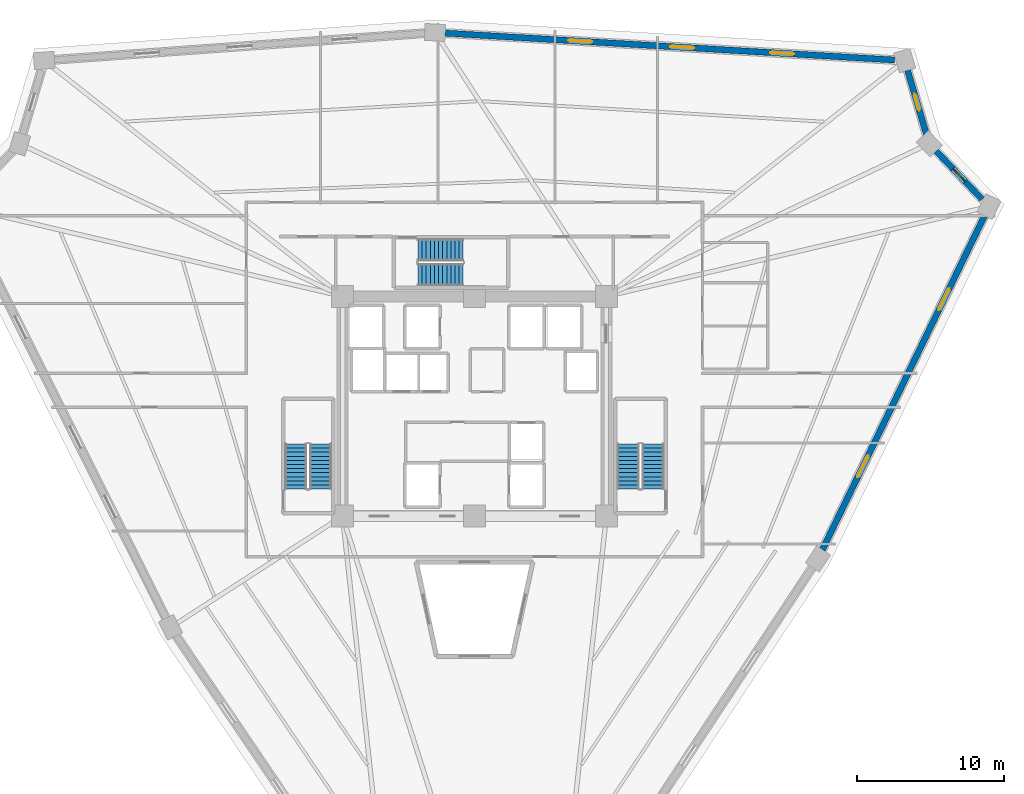
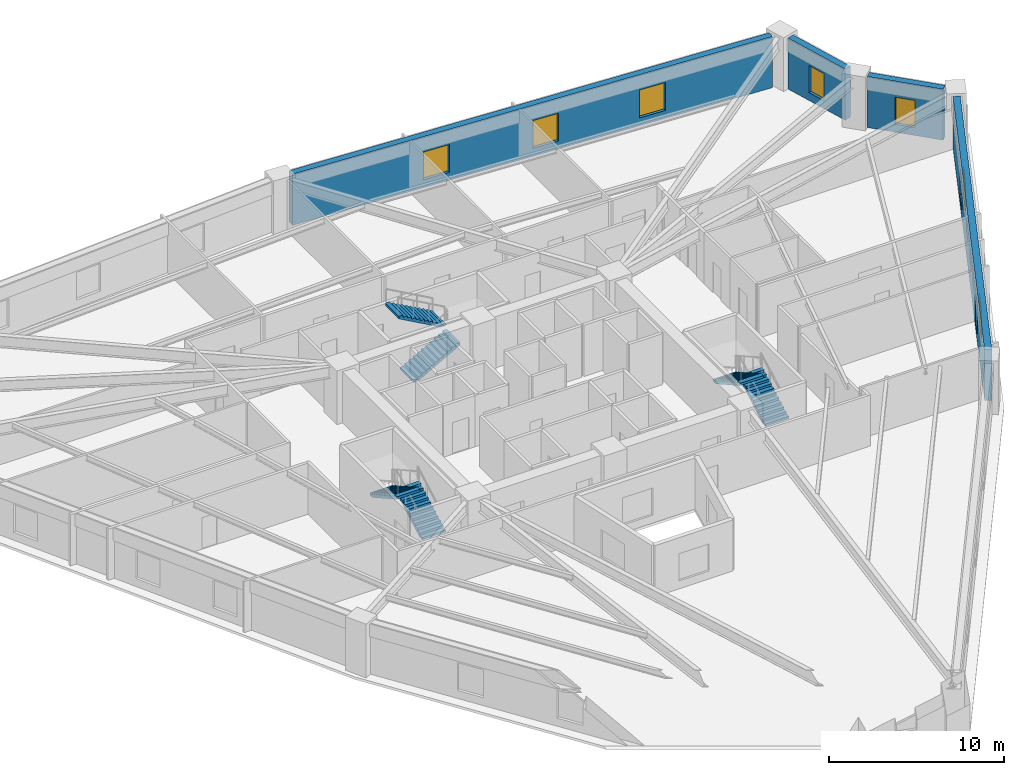
# One storey, part 7 of 8: 7 windows, 6 stair flights, 4 walls, 7 openings, 3 elements without a shape of their own.
"""IFC4 building model written with IfcOpenShell, lengths in metres."""

import ifcopenshell
import ifcopenshell.guid

model = None  # the IFC model being written
_history = None  # IfcOwnerHistory: only IFC2X3 demands one
_inside = {}  # id of a spatial element -> (the spatial element, [elements in it])
_under = {}  # id of a project, library or spatial element -> (it, [spatial elements below it])
_declared = {}  # id of a project -> (the project, [libraries it declares])
_typed = {}  # id of a type object -> (the type object, [elements of that type])
_made_of = {}  # id of a material, layer set ... -> (it, [elements and type objects made of it])


def new_model(schema):
    """Start an empty IFC model of exactly this schema.

    Asked for "IFC4X3", IfcOpenShell would pick the latest addendum, in which some entities
    have other attributes; the version numbers below select the first issue.
    IFC2X3 requires an IfcOwnerHistory on every rooted entity: one is made here for all.
    """
    global model, _history
    if schema == "IFC4X3":
        model = ifcopenshell.file(schema_version=(4, 3, 0, 0))
    else:
        model = ifcopenshell.file(schema=schema)
    _inside.clear()
    _under.clear()
    _declared.clear()
    _typed.clear()
    _made_of.clear()
    _history = None
    if model.schema == "IFC2X3":
        org = make("IfcOrganization", Name="unknown")
        user = make(
            "IfcPersonAndOrganization",
            ThePerson=make("IfcPerson", FamilyName="unknown"),
            TheOrganization=org,
        )
        app = make(
            "IfcApplication",
            ApplicationDeveloper=org,
            Version="unknown",
            ApplicationFullName="unknown",
            ApplicationIdentifier="unknown",
        )
        _history = make(
            "IfcOwnerHistory",
            OwningUser=user,
            OwningApplication=app,
            ChangeAction="ADDED",
            CreationDate=0,
        )
    return model


def make(cls, **values):
    """One entity of the class cls with the attributes given. An attribute that is None is left unset."""
    return model.create_entity(
        cls, **{name: value for name, value in values.items() if value is not None}
    )


def rooted(cls, **values):
    """An entity with a GlobalId (a new one), such as an element, a storey or a relation."""
    return make(cls, GlobalId=ifcopenshell.guid.new(), OwnerHistory=_history, **values)


def si_unit(unit_type, name, prefix=None):
    """IfcSIUnit, for example si_unit("LENGTHUNIT", "METRE", prefix="MILLI")."""
    return make("IfcSIUnit", UnitType=unit_type, Prefix=prefix, Name=name)


def assignment(units):
    """IfcUnitAssignment: the units of a project."""
    return None if units is None else make("IfcUnitAssignment", Units=units)


def point(xyz):
    """IfcCartesianPoint."""
    return None if xyz is None else make("IfcCartesianPoint", Coordinates=xyz)


def direction(xyz):
    """IfcDirection."""
    return None if xyz is None else make("IfcDirection", DirectionRatios=xyz)


def frame(location, z_axis=None, x_axis=None):
    """IfcAxis2Placement3D, a coordinate frame: its origin and axes. An axis left out is left unset."""
    return make(
        "IfcAxis2Placement3D",
        Location=point(location),
        Axis=direction(z_axis),
        RefDirection=direction(x_axis),
    )


def frame_2d(location, x_axis=None):
    """IfcAxis2Placement2D, a coordinate frame in the plane: its origin and x axis."""
    return make(
        "IfcAxis2Placement2D", Location=point(location), RefDirection=direction(x_axis)
    )


def origin():
    """The frame at (0, 0, 0) with its axes left unset."""
    return frame((0.0, 0.0, 0.0))


def place(relative_to, where):
    """IfcLocalPlacement: puts the frame where relative to a parent placement (None: the world)."""
    return make(
        "IfcLocalPlacement", PlacementRelTo=relative_to, RelativePlacement=where
    )


def context(
    kind, dimensions, precision=None, world=None, true_north=None, identifier=None
):
    """IfcGeometricRepresentationContext, for example the 3D "Model" context."""
    return make(
        "IfcGeometricRepresentationContext",
        ContextIdentifier=identifier,
        ContextType=kind,
        CoordinateSpaceDimension=dimensions,
        Precision=precision,
        WorldCoordinateSystem=world,
        TrueNorth=true_north,
    )


def subcontext(parent, identifier, kind, view, scale=None):
    """IfcGeometricRepresentationSubContext, for example "Body" below "Model"."""
    return make(
        "IfcGeometricRepresentationSubContext",
        ContextIdentifier=identifier,
        ContextType=kind,
        ParentContext=parent,
        TargetScale=scale,
        TargetView=view,
    )


def project(units=None, contexts=None):
    """IfcProject with its units and contexts."""
    return rooted(
        "IfcProject",
        Name="project",
        RepresentationContexts=contexts,
        UnitsInContext=assignment(units),
    )


def spatial(cls, under=None, at=None, **own):
    """A site, building, storey or space (cls), placed at a placement, below another one or the project."""
    s = rooted(cls, ObjectPlacement=at, **own)
    if under is not None:
        _under.setdefault(under.id(), (under, []))[1].append(s)
    return s


def polyline(points):
    """IfcPolyline through the points."""
    return make("IfcPolyline", Points=[point(p) for p in points])


def profile(cls, at=None, kind="AREA", **sizes):
    """A parametric profile (cls). Its sizes go by their IFC names, for example OverallWidth=200.0."""
    return make(cls, ProfileType=kind, Position=at, **sizes)


def rectangle(**sizes):
    """IfcRectangleProfileDef."""
    return profile("IfcRectangleProfileDef", **sizes)


def outline(outer, holes=None, kind="AREA"):
    """IfcArbitraryClosedProfileDef: a profile drawn as a closed curve; with holes, ...WithVoids."""
    if holes is None:
        return make("IfcArbitraryClosedProfileDef", ProfileType=kind, OuterCurve=outer)
    return make(
        "IfcArbitraryProfileDefWithVoids",
        ProfileType=kind,
        OuterCurve=outer,
        InnerCurves=holes,
    )


def extrude(swept, where, along, depth):
    """IfcExtrudedAreaSolid: the profile swept, set in the frame where, extruded along a direction by depth."""
    return make(
        "IfcExtrudedAreaSolid",
        SweptArea=swept,
        Position=where,
        ExtrudedDirection=direction(along),
        Depth=depth,
    )


def shape(context_of_items, identifier, shape_type, items):
    """IfcShapeRepresentation: the items that make up one representation, for example the "Body"."""
    return make(
        "IfcShapeRepresentation",
        ContextOfItems=context_of_items,
        RepresentationIdentifier=identifier,
        RepresentationType=shape_type,
        Items=items,
    )


def source(mapping_origin, context_of_items, identifier, shape_type, items):
    """IfcRepresentationMap: a shape defined once, which mapped items show again and again."""
    return make(
        "IfcRepresentationMap",
        MappingOrigin=mapping_origin,
        MappedRepresentation=shape(context_of_items, identifier, shape_type, items),
    )


def transform(
    local_origin,
    x_axis=None,
    y_axis=None,
    z_axis=None,
    scale=None,
    scale2=None,
    scale3=None,
    uniform=True,
):
    """IfcCartesianTransformationOperator3D, or its non-uniform kind. x_axis, y_axis, z_axis: its Axis1, 2, 3."""
    if uniform:
        return make(
            "IfcCartesianTransformationOperator3D",
            Axis1=direction(x_axis),
            Axis2=direction(y_axis),
            LocalOrigin=point(local_origin),
            Scale=scale,
            Axis3=direction(z_axis),
        )
    return make(
        "IfcCartesianTransformationOperator3DnonUniform",
        Axis1=direction(x_axis),
        Axis2=direction(y_axis),
        LocalOrigin=point(local_origin),
        Scale=scale,
        Axis3=direction(z_axis),
        Scale2=scale2,
        Scale3=scale3,
    )


def mapped(mapping_source, mapping_target):
    """IfcMappedItem: shows the shape of a source again, moved by a transform."""
    return make(
        "IfcMappedItem", MappingSource=mapping_source, MappingTarget=mapping_target
    )


def material(Name=None, Category=None):
    """IfcMaterial."""
    return make("IfcMaterial", Name=Name, Category=Category)


def layer(
    of_material, thickness, ventilated=None, Name=None, Category=None, Priority=None
):
    """IfcMaterialLayer: one layer of a wall or slab, of a material (None: an air gap)."""
    return make(
        "IfcMaterialLayer",
        Material=of_material,
        LayerThickness=thickness,
        IsVentilated=ventilated,
        Name=Name,
        Category=Category,
        Priority=Priority,
    )


def layer_set(layers, Name=None):
    """IfcMaterialLayerSet."""
    return make("IfcMaterialLayerSet", MaterialLayers=layers, LayerSetName=Name)


def made_of(thing, what):
    """Note that an element or type object is made of a material, layer set ...; save() writes the relation."""
    if what is not None:
        _made_of.setdefault(what.id(), (what, []))[1].append(thing)
    return thing


def type_object(cls, material=None, **own):
    """A type object (cls), such as IfcWallType, which elements share."""
    return made_of(rooted(cls, **own), material)


def element(
    cls,
    number,
    at=None,
    inside=None,
    cuts=None,
    type_object=None,
    material=None,
    context=None,
    identifier="Body",
    shape_type=None,
    held_by="IfcProductDefinitionShape",
    body=None,
    shapes=None,
    **own,
):
    """One element of the class cls, such as IfcWall. Its Tag is "e" and its number.

    at: its placement. inside: the storey or other place that contains it. cuts: it is an
    opening in that element (IfcRelVoidsElement). A single representation is given by context,
    identifier, shape_type and body (its items); several are given by shapes. held_by: the class
    of the entity that holds the representations. save() writes the other relations.
    """
    e = rooted(cls, Tag="e%d" % number, ObjectPlacement=at, **own)
    if body is not None:
        shapes = [shape(context, identifier, shape_type, body)]
    if shapes is not None:
        e.Representation = make(held_by, Representations=shapes)
    if inside is not None:
        _inside.setdefault(inside.id(), (inside, []))[1].append(e)
    if cuts is not None:
        rooted(
            "IfcRelVoidsElement", RelatingBuildingElement=cuts, RelatedOpeningElement=e
        )
    if type_object is not None:
        _typed.setdefault(type_object.id(), (type_object, []))[1].append(e)
    return made_of(e, material)


def fill(opening, filler):
    """IfcRelFillsElement: the door or window that sits in an opening."""
    return rooted(
        "IfcRelFillsElement",
        RelatingOpeningElement=opening,
        RelatedBuildingElement=filler,
    )


def aggregate(whole, parts):
    """IfcRelAggregates: a whole, such as a stair, and the parts it consists of."""
    return rooted("IfcRelAggregates", RelatingObject=whole, RelatedObjects=parts)


def save(model, path):
    """Write the relations noted so far, then the file.

    IfcRelAggregates (storeys below a building ...), IfcRelContainedInSpatialStructure (elements
    in a storey), IfcRelDefinesByType, IfcRelAssociatesMaterial and IfcRelDeclares: one each for
    every whole, place, type object, material and project.
    """
    for whole, parts in _under.values():
        aggregate(whole, parts)
    for where, things in _inside.values():
        rooted(
            "IfcRelContainedInSpatialStructure",
            RelatedElements=things,
            RelatingStructure=where,
        )
    for kind, things in _typed.values():
        rooted("IfcRelDefinesByType", RelatedObjects=things, RelatingType=kind)
    for what, things in _made_of.values():
        rooted("IfcRelAssociatesMaterial", RelatedObjects=things, RelatingMaterial=what)
    for by, libraries in _declared.values():
        rooted("IfcRelDeclares", RelatingContext=by, RelatedDefinitions=libraries)
    model.write(path)


model = new_model("IFC4")

# Units and contexts
model_context = context("Model", 3, precision=1e-05, world=origin(), true_north=direction((0.0, 1.0)))
body_context = subcontext(model_context, "Body", "Model", "MODEL_VIEW")
ifc_project = project(units=[si_unit("LENGTHUNIT", "METRE"), si_unit("AREAUNIT", "SQUARE_METRE"), si_unit("VOLUMEUNIT", "CUBIC_METRE"), si_unit("PLANEANGLEUNIT", "RADIAN"), si_unit("MASSUNIT", "GRAM", prefix="KILO")], contexts=[model_context])

# Site, building, storey
site_placement = place(None, origin())
site = spatial("IfcSite", under=ifc_project, at=site_placement, CompositionType="ELEMENT")
building_placement = place(site_placement, origin())
building = spatial("IfcBuilding", under=site, at=building_placement, Name="Liaohun Quay Tower", CompositionType="ELEMENT")
storey_placement = place(building_placement, frame((0.0, 0.0, 159.0)))
storey = spatial("IfcBuildingStorey", under=building, at=storey_placement, Name="L41", CompositionType="ELEMENT", Elevation=159.0)

# Wall, openings, windows
ifc_material_1 = material(Name="Precast concrete C50 insulated sandwich", Category="concrete")
ifc_layer = layer(ifc_material_1, 0.419921875, Name="Precast concrete C50 insulated sandwich", Category="concrete")
ifc_layer_set = layer_set([ifc_layer], Name="Precast concrete C50 insulated sandwich")
wall_type = type_object("IfcWallType", Name="WAL-EXT-Z12", PredefinedType="SOLIDWALL", material=ifc_layer_set)
wall_1_placement = place(storey_placement, frame((83.737060546875, 44.202880859375, 0.0), z_axis=(0.0, 0.0, 1.0), x_axis=(0.436800646479, 0.899558333426, 0.0)))
wall_1 = element("IfcWall", 1, at=wall_1_placement, inside=storey, type_object=wall_type, Name="L41 Brutalist Precast Pier Wall 03", PredefinedType="SOLIDWALL", context=body_context, shape_type="SweptSolid", body=[
    extrude(rectangle(XDim=25.347900390625, YDim=0.419921875, at=frame_2d((12.673828125, 0.0))), origin(), (0.0, 0.0, 1.0), 3.570068359375),
])
shared_shape_1 = source(origin(), body_context, "Body", "SweptSolid", [
    extrude(rectangle(XDim=1.64990234375, YDim=1.949951171875, at=frame_2d((0.824951171875, 0.97509765625))), frame((0.0, 0.219970703125, 0.0), z_axis=(0.0, -1.0, 0.0), x_axis=(1.0, 0.0, 0.0)), (0.0, 0.0, 1.0), 0.43994140625),
])
opening_1_placement = place(wall_1_placement, frame((5.511962890625, 0.0, 0.550048828125)))
opening_1 = element("IfcOpeningElement", 2, at=opening_1_placement, cuts=wall_1, Name="Opening W02", PredefinedType="OPENING", context=body_context, shape_type="MappedRepresentation", body=[
    mapped(shared_shape_1, transform((0.0, 0.0, 0.0), x_axis=(1.0, 0.0, 0.0), y_axis=(0.0, 1.0, 0.0), z_axis=(0.0, 0.0, 1.0), scale=1.0)),
])
opening_2_placement = place(wall_1_placement, frame((18.18603515625, 0.0, 0.550048828125)))
opening_2 = element("IfcOpeningElement", 3, at=opening_2_placement, cuts=wall_1, Name="Opening W02", PredefinedType="OPENING", context=body_context, shape_type="MappedRepresentation", body=[
    mapped(shared_shape_1, transform((0.0, 0.0, 0.0), x_axis=(1.0, 0.0, 0.0), y_axis=(0.0, 1.0, 0.0), z_axis=(0.0, 0.0, 1.0), scale=1.0)),
])
ifc_material_2 = material(Name="Triple Low-E argon glazing in thermally broken aluminium", Category="aluminium")
window_type_1 = type_object("IfcWindowType", Name="WIN-PUN-Z2", PartitioningType="DOUBLE_PANEL_VERTICAL", PredefinedType="WINDOW", material=ifc_material_2)
shared_shape_2 = source(origin(), body_context, "Body", "SweptSolid", [
    extrude(rectangle(XDim=1.64990234375, YDim=1.949951171875, at=frame_2d((0.824951171875, 0.97509765625))), frame((0.0, 0.030029296875, 0.0), z_axis=(0.0, -1.0, 0.0), x_axis=(1.0, 0.0, 0.0)), (0.0, 0.0, 1.0), 0.06005859375),
])
window_1_placement = place(opening_1_placement, origin())
window_1 = element("IfcWindow", 4, at=window_1_placement, inside=storey, type_object=window_type_1, Name="L41 Recessed Cold-Climate Punched Window 03-1", OverallHeight=1.949951171875, OverallWidth=1.64990234375, PartitioningType="DOUBLE_PANEL_VERTICAL", PredefinedType="WINDOW", context=body_context, shape_type="MappedRepresentation", body=[
    mapped(shared_shape_2, transform((0.0, 0.0, 0.0), x_axis=(1.0, 0.0, 0.0), y_axis=(0.0, 1.0, 0.0), z_axis=(0.0, 0.0, 1.0), scale=1.0)),
])
fill(opening_1, window_1)
window_2_placement = place(opening_2_placement, origin())
window_2 = element("IfcWindow", 5, at=window_2_placement, inside=storey, type_object=window_type_1, Name="L41 Recessed Cold-Climate Punched Window 03-3", OverallHeight=1.949951171875, OverallWidth=1.64990234375, PartitioningType="DOUBLE_PANEL_VERTICAL", PredefinedType="WINDOW", context=body_context, shape_type="MappedRepresentation", body=[
    mapped(shared_shape_2, transform((0.0, 0.0, 0.0), x_axis=(1.0, 0.0, 0.0), y_axis=(0.0, 1.0, 0.0), z_axis=(0.0, 0.0, 1.0), scale=1.0)),
])
fill(opening_2, window_2)

# Wall, opening, window
wall_2_placement = place(storey_placement, frame((94.634033203125, 68.1259765625, 0.0), z_axis=(0.0, 0.0, 1.0), x_axis=(-0.68927504917, 0.724499763003, 0.0)))
wall_2 = element("IfcWall", 6, at=wall_2_placement, inside=storey, type_object=wall_type, Name="L41 Brutalist Precast Pier Wall 04", PredefinedType="SOLIDWALL", context=body_context, shape_type="SweptSolid", body=[
    extrude(rectangle(XDim=4.539794921875, YDim=0.419921875, at=frame_2d((2.27001953125, 0.0))), origin(), (0.0, 0.0, 1.0), 3.570068359375),
])
shared_shape_3 = source(origin(), body_context, "Body", "SweptSolid", [
    extrude(rectangle(XDim=1.199951171875, YDim=1.89990234375, at=frame_2d((0.60009765625, 0.949951171875))), frame((0.0, 0.219970703125, 0.0), z_axis=(0.0, -1.0, 0.0), x_axis=(1.0, 0.0, 0.0)), (0.0, 0.0, 1.0), 0.43994140625),
])
opening_3_placement = place(wall_2_placement, frame((1.669921875, 0.0, 0.550048828125)))
opening_3 = element("IfcOpeningElement", 7, at=opening_3_placement, cuts=wall_2, Name="Opening W05", PredefinedType="OPENING", context=body_context, shape_type="MappedRepresentation", body=[
    mapped(shared_shape_3, transform((0.0, 0.0, 0.0), x_axis=(1.0, 0.0, 0.0), y_axis=(0.0, 1.0, 0.0), z_axis=(0.0, 0.0, 1.0), scale=1.0)),
])
ifc_material_3 = material(Name="Triple Low-E corner notch glazing", Category="glass")
window_type_2 = type_object("IfcWindowType", Name="WIN-NOTCH", PartitioningType="SINGLE_PANEL", PredefinedType="WINDOW", material=ifc_material_3)
shared_shape_4 = source(origin(), body_context, "Body", "SweptSolid", [
    extrude(rectangle(XDim=1.199951171875, YDim=1.89990234375, at=frame_2d((0.60009765625, 0.949951171875))), frame((0.0, 0.030029296875, 0.0), z_axis=(0.0, -1.0, 0.0), x_axis=(1.0, 0.0, 0.0)), (0.0, 0.0, 1.0), 0.06005859375),
])
window_3_placement = place(opening_3_placement, origin())
window_3 = element("IfcWindow", 8, at=window_3_placement, inside=storey, type_object=window_type_2, Name="L41 Corner Notch Window W05-04", OverallHeight=1.89990234375, OverallWidth=1.199951171875, PartitioningType="SINGLE_PANEL", PredefinedType="WINDOW", context=body_context, shape_type="MappedRepresentation", body=[
    mapped(shared_shape_4, transform((0.0, 0.0, 0.0), x_axis=(1.0, 0.0, 0.0), y_axis=(0.0, 1.0, 0.0), z_axis=(0.0, 0.0, 1.0), scale=1.0)),
])
fill(opening_3, window_3)

wall_3_placement = place(storey_placement, frame((90.833984375, 72.576904296875, 0.0), z_axis=(0.0, 0.0, 1.0), x_axis=(-0.282915903715, 0.959144718708, 0.0)))
wall_3 = element("IfcWall", 9, at=wall_3_placement, inside=storey, type_object=wall_type, Name="L41 Brutalist Precast Pier Wall 05", PredefinedType="SOLIDWALL", context=body_context, shape_type="SweptSolid", body=[
    extrude(rectangle(XDim=4.53125, YDim=0.419921875, at=frame_2d((2.265625, 0.0))), origin(), (0.0, 0.0, 1.0), 3.570068359375),
])
opening_4_placement = place(wall_3_placement, frame((1.666015625, 0.0, 0.550048828125)))
opening_4 = element("IfcOpeningElement", 10, at=opening_4_placement, cuts=wall_3, Name="Opening W05", PredefinedType="OPENING", context=body_context, shape_type="MappedRepresentation", body=[
    mapped(shared_shape_3, transform((0.0, 0.0, 0.0), x_axis=(1.0, 0.0, 0.0), y_axis=(0.0, 1.0, 0.0), z_axis=(0.0, 0.0, 1.0), scale=1.0)),
])
window_4_placement = place(opening_4_placement, origin())
window_4 = element("IfcWindow", 11, at=window_4_placement, inside=storey, type_object=window_type_2, Name="L41 Corner Notch Window W05-05", OverallHeight=1.89990234375, OverallWidth=1.199951171875, PartitioningType="SINGLE_PANEL", PredefinedType="WINDOW", context=body_context, shape_type="MappedRepresentation", body=[
    mapped(shared_shape_4, transform((0.0, 0.0, 0.0), x_axis=(1.0, 0.0, 0.0), y_axis=(0.0, 1.0, 0.0), z_axis=(0.0, 0.0, 1.0), scale=1.0)),
])
fill(opening_4, window_4)

# Wall, openings, windows
wall_4_placement = place(storey_placement, frame((88.66796875, 77.6259765625, 0.0), z_axis=(0.0, 0.0, 1.0), x_axis=(-0.998209336024, 0.059817401095, 0.0)))
wall_4 = element("IfcWall", 12, at=wall_4_placement, inside=storey, type_object=wall_type, Name="L41 Brutalist Precast Pier Wall 06", PredefinedType="SOLIDWALL", context=body_context, shape_type="SweptSolid", body=[
    extrude(rectangle(XDim=30.72900390625, YDim=0.419921875, at=frame_2d((15.364501953125, 0.0))), origin(), (0.0, 0.0, 1.0), 3.570068359375),
])
opening_5_placement = place(wall_4_placement, frame((6.85693359375, 0.0, 0.550048828125)))
opening_5 = element("IfcOpeningElement", 13, at=opening_5_placement, cuts=wall_4, Name="Opening W02", PredefinedType="OPENING", context=body_context, shape_type="MappedRepresentation", body=[
    mapped(shared_shape_1, transform((0.0, 0.0, 0.0), x_axis=(1.0, 0.0, 0.0), y_axis=(0.0, 1.0, 0.0), z_axis=(0.0, 0.0, 1.0), scale=1.0)),
])
opening_6_placement = place(wall_4_placement, frame((13.68994140625, 0.0, 0.550048828125)))
opening_6 = element("IfcOpeningElement", 14, at=opening_6_placement, cuts=wall_4, Name="Opening W02", PredefinedType="OPENING", context=body_context, shape_type="MappedRepresentation", body=[
    mapped(shared_shape_1, transform((0.0, 0.0, 0.0), x_axis=(1.0, 0.0, 0.0), y_axis=(0.0, 1.0, 0.0), z_axis=(0.0, 0.0, 1.0), scale=1.0)),
])
opening_7_placement = place(wall_4_placement, frame((20.672119140625, 0.0, 0.550048828125)))
opening_7 = element("IfcOpeningElement", 15, at=opening_7_placement, cuts=wall_4, Name="Opening W02", PredefinedType="OPENING", context=body_context, shape_type="MappedRepresentation", body=[
    mapped(shared_shape_1, transform((0.0, 0.0, 0.0), x_axis=(1.0, 0.0, 0.0), y_axis=(0.0, 1.0, 0.0), z_axis=(0.0, 0.0, 1.0), scale=1.0)),
])
window_5_placement = place(opening_5_placement, origin())
window_5 = element("IfcWindow", 16, at=window_5_placement, inside=storey, type_object=window_type_1, Name="L41 Recessed Cold-Climate Punched Window 06-1", OverallHeight=1.949951171875, OverallWidth=1.64990234375, PartitioningType="DOUBLE_PANEL_VERTICAL", PredefinedType="WINDOW", context=body_context, shape_type="MappedRepresentation", body=[
    mapped(shared_shape_2, transform((0.0, 0.0, 0.0), x_axis=(1.0, 0.0, 0.0), y_axis=(0.0, 1.0, 0.0), z_axis=(0.0, 0.0, 1.0), scale=1.0)),
])
fill(opening_5, window_5)
window_6_placement = place(opening_6_placement, origin())
window_6 = element("IfcWindow", 17, at=window_6_placement, inside=storey, type_object=window_type_1, Name="L41 Recessed Cold-Climate Punched Window 06-2", OverallHeight=1.949951171875, OverallWidth=1.64990234375, PartitioningType="DOUBLE_PANEL_VERTICAL", PredefinedType="WINDOW", context=body_context, shape_type="MappedRepresentation", body=[
    mapped(shared_shape_2, transform((0.0, 0.0, 0.0), x_axis=(1.0, 0.0, 0.0), y_axis=(0.0, 1.0, 0.0), z_axis=(0.0, 0.0, 1.0), scale=1.0)),
])
fill(opening_6, window_6)
window_7_placement = place(opening_7_placement, origin())
window_7 = element("IfcWindow", 18, at=window_7_placement, inside=storey, type_object=window_type_1, Name="L41 Recessed Cold-Climate Punched Window 06-3", OverallHeight=1.949951171875, OverallWidth=1.64990234375, PartitioningType="DOUBLE_PANEL_VERTICAL", PredefinedType="WINDOW", context=body_context, shape_type="MappedRepresentation", body=[
    mapped(shared_shape_2, transform((0.0, 0.0, 0.0), x_axis=(1.0, 0.0, 0.0), y_axis=(0.0, 1.0, 0.0), z_axis=(0.0, 0.0, 1.0), scale=1.0)),
])
fill(opening_7, window_7)

# Stair, stair flights
ifc_material_4 = material(Name="Concrete C45", Category="concrete")
stair_type = type_object("IfcStairType", Name="STR-CORE-OFF", PredefinedType="HALF_TURN_STAIR", material=ifc_material_4)
stair_1_placement = place(storey_placement, origin())
stair_1 = element("IfcStair", 19, at=stair_1_placement, inside=storey, type_object=stair_type, Name="L41 Smokeproof Core Exit Stair ST-1", PredefinedType="HALF_TURN_STAIR")
stair_flight_type = type_object("IfcStairFlightType", Name="FLT-CORE-155", PredefinedType="STRAIGHT", material=ifc_material_4)
stair_flight_1_placement = place(storey_placement, frame((49.5048828125, 48.35009765625, 0.0), z_axis=(0.0, 0.0, 1.0), x_axis=(0.0, 1.0, 0.0)))
stair_flight_1 = element("IfcStairFlight", 20, at=stair_flight_1_placement, type_object=stair_flight_type, Name="ST-1 flight 1", NumberOfRisers=12, NumberOfTreads=11, PredefinedType="STRAIGHT", RiserHeight=0.15625, TreadLength=0.28, context=body_context, shape_type="SweptSolid", body=[
    extrude(outline(polyline([(0.0, 0.0), (0.0, 0.15625), (0.280029296875, 0.15625), (0.280029296875, 0.3125), (0.56005859375, 0.3125), (0.56005859375, 0.46875), (0.840087890625, 0.46875), (0.840087890625, 0.625), (1.1201171875, 0.625), (1.1201171875, 0.78125), (1.39990234375, 0.78125), (1.39990234375, 0.9375), (1.679931640625, 0.9375), (1.679931640625, 1.09375), (1.9599609375, 1.09375), (1.9599609375, 1.25), (2.239990234375, 1.25), (2.239990234375, 1.40625), (2.52001953125, 1.40625), (2.52001953125, 1.5625), (2.800048828125, 1.5625), (2.800048828125, 1.71875), (3.080078125, 1.71875), (3.080078125, 1.875), (3.080078125, 1.547119140625), (0.3076171875, 0.0), (0.0, 0.0)])), frame((0.0, 0.77490234375, 0.0), z_axis=(0.0, -1.0, 0.0), x_axis=(1.0, 0.0, 0.0)), (0.0, 0.0, 1.0), 1.550048828125),
])
stair_flight_2_placement = place(storey_placement, frame((47.81494140625, 51.429931640625, 1.875), z_axis=(0.0, 0.0, 1.0), x_axis=(0.0, -1.0, 0.0)))
stair_flight_2 = element("IfcStairFlight", 21, at=stair_flight_2_placement, type_object=stair_flight_type, Name="ST-1 flight 2", NumberOfRisers=12, NumberOfTreads=11, PredefinedType="STRAIGHT", RiserHeight=0.15625, TreadLength=0.28, context=body_context, shape_type="SweptSolid", body=[
    extrude(outline(polyline([(0.0, 0.0), (0.0, 0.15625), (0.280029296875, 0.15625), (0.280029296875, 0.3125), (0.56005859375, 0.3125), (0.56005859375, 0.46875), (0.840087890625, 0.46875), (0.840087890625, 0.625), (1.1201171875, 0.625), (1.1201171875, 0.78125), (1.39990234375, 0.78125), (1.39990234375, 0.9375), (1.679931640625, 0.9375), (1.679931640625, 1.09375), (1.9599609375, 1.09375), (1.9599609375, 1.25), (2.239990234375, 1.25), (2.239990234375, 1.40625), (2.52001953125, 1.40625), (2.52001953125, 1.5625), (2.800048828125, 1.5625), (2.800048828125, 1.71875), (3.080078125, 1.71875), (3.080078125, 1.875), (3.080078125, 1.547119140625), (0.3076171875, 0.0), (0.0, 0.0)])), frame((0.0, 0.77490234375, 0.0), z_axis=(0.0, -1.0, 0.0), x_axis=(1.0, 0.0, 0.0)), (0.0, 0.0, 1.0), 1.550048828125),
])
aggregate(stair_1, [stair_flight_1, stair_flight_2])

stair_2_placement = place(storey_placement, origin())
stair_2 = element("IfcStair", 22, at=stair_2_placement, inside=storey, type_object=stair_type, Name="L41 Smokeproof Core Exit Stair ST-2", PredefinedType="HALF_TURN_STAIR")
stair_flight_3_placement = place(storey_placement, frame((72.18505859375, 48.35009765625, 0.0), z_axis=(0.0, 0.0, 1.0), x_axis=(0.0, 1.0, 0.0)))
stair_flight_3 = element("IfcStairFlight", 23, at=stair_flight_3_placement, type_object=stair_flight_type, Name="ST-2 flight 1", NumberOfRisers=12, NumberOfTreads=11, PredefinedType="STRAIGHT", RiserHeight=0.15625, TreadLength=0.28, context=body_context, shape_type="SweptSolid", body=[
    extrude(outline(polyline([(0.0, 0.0), (0.0, 0.15625), (0.280029296875, 0.15625), (0.280029296875, 0.3125), (0.56005859375, 0.3125), (0.56005859375, 0.46875), (0.840087890625, 0.46875), (0.840087890625, 0.625), (1.1201171875, 0.625), (1.1201171875, 0.78125), (1.39990234375, 0.78125), (1.39990234375, 0.9375), (1.679931640625, 0.9375), (1.679931640625, 1.09375), (1.9599609375, 1.09375), (1.9599609375, 1.25), (2.239990234375, 1.25), (2.239990234375, 1.40625), (2.52001953125, 1.40625), (2.52001953125, 1.5625), (2.800048828125, 1.5625), (2.800048828125, 1.71875), (3.080078125, 1.71875), (3.080078125, 1.875), (3.080078125, 1.547119140625), (0.3076171875, 0.0), (0.0, 0.0)])), frame((0.0, 0.77490234375, 0.0), z_axis=(0.0, -1.0, 0.0), x_axis=(1.0, 0.0, 0.0)), (0.0, 0.0, 1.0), 1.550048828125),
])
stair_flight_4_placement = place(storey_placement, frame((70.4951171875, 51.429931640625, 1.875), z_axis=(0.0, 0.0, 1.0), x_axis=(0.0, -1.0, 0.0)))
stair_flight_4 = element("IfcStairFlight", 24, at=stair_flight_4_placement, type_object=stair_flight_type, Name="ST-2 flight 2", NumberOfRisers=12, NumberOfTreads=11, PredefinedType="STRAIGHT", RiserHeight=0.15625, TreadLength=0.28, context=body_context, shape_type="SweptSolid", body=[
    extrude(outline(polyline([(0.0, 0.0), (0.0, 0.15625), (0.280029296875, 0.15625), (0.280029296875, 0.3125), (0.56005859375, 0.3125), (0.56005859375, 0.46875), (0.840087890625, 0.46875), (0.840087890625, 0.625), (1.1201171875, 0.625), (1.1201171875, 0.78125), (1.39990234375, 0.78125), (1.39990234375, 0.9375), (1.679931640625, 0.9375), (1.679931640625, 1.09375), (1.9599609375, 1.09375), (1.9599609375, 1.25), (2.239990234375, 1.25), (2.239990234375, 1.40625), (2.52001953125, 1.40625), (2.52001953125, 1.5625), (2.800048828125, 1.5625), (2.800048828125, 1.71875), (3.080078125, 1.71875), (3.080078125, 1.875), (3.080078125, 1.547119140625), (0.3076171875, 0.0), (0.0, 0.0)])), frame((0.0, 0.77490234375, 0.0), z_axis=(0.0, -1.0, 0.0), x_axis=(1.0, 0.0, 0.0)), (0.0, 0.0, 1.0), 1.550048828125),
])
aggregate(stair_2, [stair_flight_3, stair_flight_4])

stair_3_placement = place(storey_placement, origin())
stair_3 = element("IfcStair", 25, at=stair_3_placement, inside=storey, type_object=stair_type, Name="L41 Smokeproof Core Exit Stair ST-3", PredefinedType="HALF_TURN_STAIR")
stair_flight_5_placement = place(storey_placement, frame((56.14990234375, 62.97509765625, 0.0), z_axis=(0.0, 0.0, 1.0), x_axis=(1.0, 0.0, 0.0)))
stair_flight_5 = element("IfcStairFlight", 26, at=stair_flight_5_placement, type_object=stair_flight_type, Name="ST-3 flight 1", NumberOfRisers=12, NumberOfTreads=11, PredefinedType="STRAIGHT", RiserHeight=0.15625, TreadLength=0.28, context=body_context, shape_type="SweptSolid", body=[
    extrude(outline(polyline([(0.0, 0.0), (0.0, 0.15625), (0.280029296875, 0.15625), (0.280029296875, 0.3125), (0.56005859375, 0.3125), (0.56005859375, 0.46875), (0.840087890625, 0.46875), (0.840087890625, 0.625), (1.1201171875, 0.625), (1.1201171875, 0.78125), (1.39990234375, 0.78125), (1.39990234375, 0.9375), (1.679931640625, 0.9375), (1.679931640625, 1.09375), (1.9599609375, 1.09375), (1.9599609375, 1.25), (2.239990234375, 1.25), (2.239990234375, 1.40625), (2.52001953125, 1.40625), (2.52001953125, 1.5625), (2.800048828125, 1.5625), (2.800048828125, 1.71875), (3.080078125, 1.71875), (3.080078125, 1.875), (3.080078125, 1.547119140625), (0.3076171875, 0.0), (0.0, 0.0)])), frame((0.0, 0.77490234375, 0.0), z_axis=(0.0, -1.0, 0.0), x_axis=(1.0, 0.0, 0.0)), (0.0, 0.0, 1.0), 1.550048828125),
])
stair_flight_6_placement = place(storey_placement, frame((59.22998046875, 64.6650390625, 1.875), z_axis=(0.0, 0.0, 1.0), x_axis=(-1.0, 0.0, 0.0)))
stair_flight_6 = element("IfcStairFlight", 27, at=stair_flight_6_placement, type_object=stair_flight_type, Name="ST-3 flight 2", NumberOfRisers=12, NumberOfTreads=11, PredefinedType="STRAIGHT", RiserHeight=0.15625, TreadLength=0.28, context=body_context, shape_type="SweptSolid", body=[
    extrude(outline(polyline([(0.0, 0.0), (0.0, 0.15625), (0.280029296875, 0.15625), (0.280029296875, 0.3125), (0.56005859375, 0.3125), (0.56005859375, 0.46875), (0.840087890625, 0.46875), (0.840087890625, 0.625), (1.1201171875, 0.625), (1.1201171875, 0.78125), (1.39990234375, 0.78125), (1.39990234375, 0.9375), (1.679931640625, 0.9375), (1.679931640625, 1.09375), (1.9599609375, 1.09375), (1.9599609375, 1.25), (2.239990234375, 1.25), (2.239990234375, 1.40625), (2.52001953125, 1.40625), (2.52001953125, 1.5625), (2.800048828125, 1.5625), (2.800048828125, 1.71875), (3.080078125, 1.71875), (3.080078125, 1.875), (3.080078125, 1.547119140625), (0.3076171875, 0.0), (0.0, 0.0)])), frame((0.0, 0.77490234375, 0.0), z_axis=(0.0, -1.0, 0.0), x_axis=(1.0, 0.0, 0.0)), (0.0, 0.0, 1.0), 1.550048828125),
])
aggregate(stair_3, [stair_flight_5, stair_flight_6])

save(model, "model.ifc")
